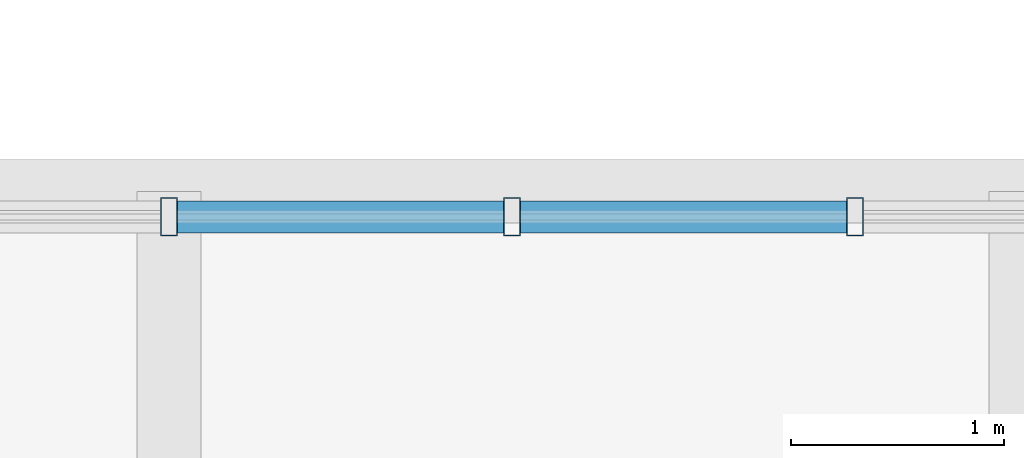
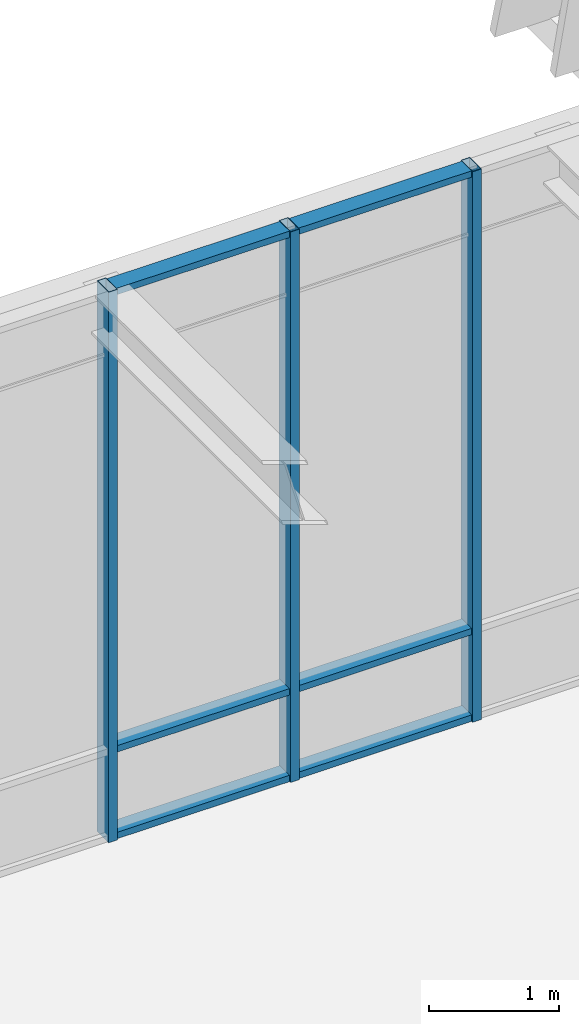
# One storey, part 60 of 139: 9 members, 1 element without a shape of its own.
"""IFC4 building model written with IfcOpenShell, lengths in metres."""

import ifcopenshell
import ifcopenshell.guid

model = None  # the IFC model being written
_history = None  # IfcOwnerHistory: only IFC2X3 demands one
_inside = {}  # id of a spatial element -> (the spatial element, [elements in it])
_under = {}  # id of a project, library or spatial element -> (it, [spatial elements below it])
_declared = {}  # id of a project -> (the project, [libraries it declares])
_typed = {}  # id of a type object -> (the type object, [elements of that type])
_made_of = {}  # id of a material, layer set ... -> (it, [elements and type objects made of it])


def new_model(schema):
    """Start an empty IFC model of exactly this schema.

    Asked for "IFC4X3", IfcOpenShell would pick the latest addendum, in which some entities
    have other attributes; the version numbers below select the first issue.
    IFC2X3 requires an IfcOwnerHistory on every rooted entity: one is made here for all.
    """
    global model, _history
    if schema == "IFC4X3":
        model = ifcopenshell.file(schema_version=(4, 3, 0, 0))
    else:
        model = ifcopenshell.file(schema=schema)
    _inside.clear()
    _under.clear()
    _declared.clear()
    _typed.clear()
    _made_of.clear()
    _history = None
    if model.schema == "IFC2X3":
        org = make("IfcOrganization", Name="unknown")
        user = make(
            "IfcPersonAndOrganization",
            ThePerson=make("IfcPerson", FamilyName="unknown"),
            TheOrganization=org,
        )
        app = make(
            "IfcApplication",
            ApplicationDeveloper=org,
            Version="unknown",
            ApplicationFullName="unknown",
            ApplicationIdentifier="unknown",
        )
        _history = make(
            "IfcOwnerHistory",
            OwningUser=user,
            OwningApplication=app,
            ChangeAction="ADDED",
            CreationDate=0,
        )
    return model


def make(cls, **values):
    """One entity of the class cls with the attributes given. An attribute that is None is left unset."""
    return model.create_entity(
        cls, **{name: value for name, value in values.items() if value is not None}
    )


def rooted(cls, **values):
    """An entity with a GlobalId (a new one), such as an element, a storey or a relation."""
    return make(cls, GlobalId=ifcopenshell.guid.new(), OwnerHistory=_history, **values)


def si_unit(unit_type, name, prefix=None):
    """IfcSIUnit, for example si_unit("LENGTHUNIT", "METRE", prefix="MILLI")."""
    return make("IfcSIUnit", UnitType=unit_type, Prefix=prefix, Name=name)


def assignment(units):
    """IfcUnitAssignment: the units of a project."""
    return None if units is None else make("IfcUnitAssignment", Units=units)


def point(xyz):
    """IfcCartesianPoint."""
    return None if xyz is None else make("IfcCartesianPoint", Coordinates=xyz)


def direction(xyz):
    """IfcDirection."""
    return None if xyz is None else make("IfcDirection", DirectionRatios=xyz)


def frame(location, z_axis=None, x_axis=None):
    """IfcAxis2Placement3D, a coordinate frame: its origin and axes. An axis left out is left unset."""
    return make(
        "IfcAxis2Placement3D",
        Location=point(location),
        Axis=direction(z_axis),
        RefDirection=direction(x_axis),
    )


def frame_2d(location, x_axis=None):
    """IfcAxis2Placement2D, a coordinate frame in the plane: its origin and x axis."""
    return make(
        "IfcAxis2Placement2D", Location=point(location), RefDirection=direction(x_axis)
    )


def origin():
    """The frame at (0, 0, 0) with its axes left unset."""
    return frame((0.0, 0.0, 0.0))


def origin_2d():
    """The frame at (0, 0) in the plane with its x axis left unset."""
    return frame_2d((0.0, 0.0))


def place(relative_to, where):
    """IfcLocalPlacement: puts the frame where relative to a parent placement (None: the world)."""
    return make(
        "IfcLocalPlacement", PlacementRelTo=relative_to, RelativePlacement=where
    )


def context(
    kind, dimensions, precision=None, world=None, true_north=None, identifier=None
):
    """IfcGeometricRepresentationContext, for example the 3D "Model" context."""
    return make(
        "IfcGeometricRepresentationContext",
        ContextIdentifier=identifier,
        ContextType=kind,
        CoordinateSpaceDimension=dimensions,
        Precision=precision,
        WorldCoordinateSystem=world,
        TrueNorth=true_north,
    )


def subcontext(parent, identifier, kind, view, scale=None):
    """IfcGeometricRepresentationSubContext, for example "Body" below "Model"."""
    return make(
        "IfcGeometricRepresentationSubContext",
        ContextIdentifier=identifier,
        ContextType=kind,
        ParentContext=parent,
        TargetScale=scale,
        TargetView=view,
    )


def project(units=None, contexts=None):
    """IfcProject with its units and contexts."""
    return rooted(
        "IfcProject",
        Name="project",
        RepresentationContexts=contexts,
        UnitsInContext=assignment(units),
    )


def spatial(cls, under=None, at=None, **own):
    """A site, building, storey or space (cls), placed at a placement, below another one or the project."""
    s = rooted(cls, ObjectPlacement=at, **own)
    if under is not None:
        _under.setdefault(under.id(), (under, []))[1].append(s)
    return s


def profile(cls, at=None, kind="AREA", **sizes):
    """A parametric profile (cls). Its sizes go by their IFC names, for example OverallWidth=200.0."""
    return make(cls, ProfileType=kind, Position=at, **sizes)


def hollow_rectangle(**sizes):
    """IfcRectangleHollowProfileDef."""
    return profile("IfcRectangleHollowProfileDef", **sizes)


def extrude(swept, where, along, depth):
    """IfcExtrudedAreaSolid: the profile swept, set in the frame where, extruded along a direction by depth."""
    return make(
        "IfcExtrudedAreaSolid",
        SweptArea=swept,
        Position=where,
        ExtrudedDirection=direction(along),
        Depth=depth,
    )


def shape(context_of_items, identifier, shape_type, items):
    """IfcShapeRepresentation: the items that make up one representation, for example the "Body"."""
    return make(
        "IfcShapeRepresentation",
        ContextOfItems=context_of_items,
        RepresentationIdentifier=identifier,
        RepresentationType=shape_type,
        Items=items,
    )


def material(Name=None, Category=None):
    """IfcMaterial."""
    return make("IfcMaterial", Name=Name, Category=Category)


def layer(
    of_material, thickness, ventilated=None, Name=None, Category=None, Priority=None
):
    """IfcMaterialLayer: one layer of a wall or slab, of a material (None: an air gap)."""
    return make(
        "IfcMaterialLayer",
        Material=of_material,
        LayerThickness=thickness,
        IsVentilated=ventilated,
        Name=Name,
        Category=Category,
        Priority=Priority,
    )


def layer_set(layers, Name=None):
    """IfcMaterialLayerSet."""
    return make("IfcMaterialLayerSet", MaterialLayers=layers, LayerSetName=Name)


def material_profile(
    of_material, cross_section, Name=None, Category=None, Priority=None
):
    """IfcMaterialProfile: a cross section and its material."""
    return make(
        "IfcMaterialProfile",
        Name=Name,
        Material=of_material,
        Profile=cross_section,
        Priority=Priority,
        Category=Category,
    )


def profile_set(profiles, Name=None, composite=None):
    """IfcMaterialProfileSet."""
    return make(
        "IfcMaterialProfileSet",
        Name=Name,
        MaterialProfiles=profiles,
        CompositeProfile=composite,
    )


def made_of(thing, what):
    """Note that an element or type object is made of a material, layer set ...; save() writes the relation."""
    if what is not None:
        _made_of.setdefault(what.id(), (what, []))[1].append(thing)
    return thing


def type_object(cls, material=None, **own):
    """A type object (cls), such as IfcWallType, which elements share."""
    return made_of(rooted(cls, **own), material)


def element(
    cls,
    number,
    at=None,
    inside=None,
    cuts=None,
    type_object=None,
    material=None,
    context=None,
    identifier="Body",
    shape_type=None,
    held_by="IfcProductDefinitionShape",
    body=None,
    shapes=None,
    **own,
):
    """One element of the class cls, such as IfcWall. Its Tag is "e" and its number.

    at: its placement. inside: the storey or other place that contains it. cuts: it is an
    opening in that element (IfcRelVoidsElement). A single representation is given by context,
    identifier, shape_type and body (its items); several are given by shapes. held_by: the class
    of the entity that holds the representations. save() writes the other relations.
    """
    e = rooted(cls, Tag="e%d" % number, ObjectPlacement=at, **own)
    if body is not None:
        shapes = [shape(context, identifier, shape_type, body)]
    if shapes is not None:
        e.Representation = make(held_by, Representations=shapes)
    if inside is not None:
        _inside.setdefault(inside.id(), (inside, []))[1].append(e)
    if cuts is not None:
        rooted(
            "IfcRelVoidsElement", RelatingBuildingElement=cuts, RelatedOpeningElement=e
        )
    if type_object is not None:
        _typed.setdefault(type_object.id(), (type_object, []))[1].append(e)
    return made_of(e, material)


def aggregate(whole, parts):
    """IfcRelAggregates: a whole, such as a stair, and the parts it consists of."""
    return rooted("IfcRelAggregates", RelatingObject=whole, RelatedObjects=parts)


def save(model, path):
    """Write the relations noted so far, then the file.

    IfcRelAggregates (storeys below a building ...), IfcRelContainedInSpatialStructure (elements
    in a storey), IfcRelDefinesByType, IfcRelAssociatesMaterial and IfcRelDeclares: one each for
    every whole, place, type object, material and project.
    """
    for whole, parts in _under.values():
        aggregate(whole, parts)
    for where, things in _inside.values():
        rooted(
            "IfcRelContainedInSpatialStructure",
            RelatedElements=things,
            RelatingStructure=where,
        )
    for kind, things in _typed.values():
        rooted("IfcRelDefinesByType", RelatedObjects=things, RelatingType=kind)
    for what, things in _made_of.values():
        rooted("IfcRelAssociatesMaterial", RelatedObjects=things, RelatingMaterial=what)
    for by, libraries in _declared.values():
        rooted("IfcRelDeclares", RelatingContext=by, RelatedDefinitions=libraries)
    model.write(path)


model = new_model("IFC4")

# Units and contexts
model_context = context("Model", 3, precision=1e-05, world=origin(), true_north=direction((0.0, 1.0)))
body_context = subcontext(model_context, "Body", "Model", "MODEL_VIEW")
ifc_project = project(units=[si_unit("LENGTHUNIT", "METRE"), si_unit("AREAUNIT", "SQUARE_METRE"), si_unit("VOLUMEUNIT", "CUBIC_METRE"), si_unit("PLANEANGLEUNIT", "RADIAN"), si_unit("MASSUNIT", "GRAM", prefix="KILO")], contexts=[model_context])

# Site, building, storey
site_placement = place(None, origin())
site = spatial("IfcSite", under=ifc_project, at=site_placement, CompositionType="ELEMENT")
building_placement = place(site_placement, origin())
building = spatial("IfcBuilding", under=site, at=building_placement, Name="Zayran Congress Hotel", CompositionType="ELEMENT")
storey_placement = place(building_placement, frame((0.0, 0.0, 5.39990234375)))
storey = spatial("IfcBuildingStorey", under=building, at=storey_placement, Name="L01", CompositionType="ELEMENT", Elevation=5.39990234375)

# Curtain wall, members
ifc_material_1 = material(Name="Anodised aluminium and low-E insulated glass", Category="aluminium")
ifc_layer = layer(ifc_material_1, 0.179931640625)
ifc_layer_set = layer_set([ifc_layer], Name="Anodised aluminium and low-E insulated glass")
curtain_wall_type = type_object("IfcCurtainWallType", Name="CW-BR1-L01-CW-BR1-16100-5150", PredefinedType="USERDEFINED", material=ifc_layer_set)
curtain_wall_placement = place(storey_placement, origin())
curtain_wall = element("IfcCurtainWall", 1, at=curtain_wall_placement, inside=storey, type_object=curtain_wall_type, Name="CW-BR1N-L01", ObjectType="CURTAIN WALL", PredefinedType="USERDEFINED")
ifc_material_2 = material(Name="Anodised aluminium framing", Category="aluminium")
ifc_material_profile_1 = material_profile(ifc_material_2, hollow_rectangle(XDim=0.080078125, YDim=0.179931640625, WallThickness=0.0048828125, at=origin_2d()), Name="RHS 180x80x5")
ifc_profile_set_1 = profile_set([ifc_material_profile_1], Name="Anodised aluminium framing")
member_type_1 = type_object("IfcMemberType", Name="TP-CWM-01", PredefinedType="MULLION", material=ifc_profile_set_1)
member_1_placement = place(storey_placement, frame((104.02001953125, 84.280029296875, 0.0), z_axis=(0.0, 0.0, 1.0), x_axis=(1.0, 0.0, 0.0)))
member_1 = element("IfcMember", 2, at=member_1_placement, type_object=member_type_1, Name="CW-BR1N-L01-M03", PredefinedType="MULLION", context=body_context, shape_type="SweptSolid", body=[
    extrude(hollow_rectangle(XDim=0.080078125, YDim=0.179931640625, WallThickness=0.0048828125, at=origin_2d()), origin(), (0.0, 0.0, 1.0), 5.150146484375),
])
member_2_placement = place(storey_placement, frame((102.409912109375, 84.280029296875, 0.0), z_axis=(0.0, 0.0, 1.0), x_axis=(1.0, 0.0, 0.0)))
member_2 = element("IfcMember", 3, at=member_2_placement, type_object=member_type_1, Name="CW-BR1N-L01-M04", PredefinedType="MULLION", context=body_context, shape_type="SweptSolid", body=[
    extrude(hollow_rectangle(XDim=0.080078125, YDim=0.179931640625, WallThickness=0.0048828125, at=origin_2d()), origin(), (0.0, 0.0, 1.0), 5.150146484375),
])
member_3_placement = place(storey_placement, frame((100.800048828125, 84.280029296875, 0.0), z_axis=(0.0, 0.0, 1.0), x_axis=(1.0, 0.0, 0.0)))
member_3 = element("IfcMember", 4, at=member_3_placement, type_object=member_type_1, Name="CW-BR1N-L01-M05", PredefinedType="MULLION", context=body_context, shape_type="SweptSolid", body=[
    extrude(hollow_rectangle(XDim=0.080078125, YDim=0.179931640625, WallThickness=0.0048828125, at=origin_2d()), origin(), (0.0, 0.0, 1.0), 5.150146484375),
])
ifc_material_profile_2 = material_profile(ifc_material_2, hollow_rectangle(XDim=0.06005859375, YDim=0.14990234375, WallThickness=0.00390625, at=origin_2d()), Name="RHS 150x60x4")
ifc_profile_set_2 = profile_set([ifc_material_profile_2], Name="Anodised aluminium framing")
member_type_2 = type_object("IfcMemberType", Name="TP-CWT-01", PredefinedType="USERDEFINED", material=ifc_profile_set_2)
member_4_placement = place(storey_placement, frame((103.97998046875, 84.280029296875, 0.030029296875), z_axis=(-1.0, 0.0, 0.0), x_axis=(0.0, 0.0, 1.0)))
member_4 = element("IfcMember", 5, at=member_4_placement, type_object=member_type_2, Name="CW-BR1N-L01-T03-0", ObjectType="TRANSOM", PredefinedType="USERDEFINED", context=body_context, shape_type="SweptSolid", body=[
    extrude(hollow_rectangle(XDim=0.06005859375, YDim=0.14990234375, WallThickness=0.00390625, at=origin_2d()), origin(), (0.0, 0.0, 1.0), 1.530029296875),
])
member_5_placement = place(storey_placement, frame((103.97998046875, 84.280029296875, 0.840087890625), z_axis=(-1.0, 0.0, 0.0), x_axis=(0.0, 0.0, 1.0)))
member_5 = element("IfcMember", 6, at=member_5_placement, type_object=member_type_2, Name="CW-BR1N-L01-T03-1", ObjectType="TRANSOM", PredefinedType="USERDEFINED", context=body_context, shape_type="SweptSolid", body=[
    extrude(hollow_rectangle(XDim=0.06005859375, YDim=0.14990234375, WallThickness=0.00390625, at=origin_2d()), origin(), (0.0, 0.0, 1.0), 1.530029296875),
])
member_6_placement = place(storey_placement, frame((103.97998046875, 84.280029296875, 5.1201171875), z_axis=(-1.0, 0.0, 0.0), x_axis=(0.0, 0.0, 1.0)))
member_6 = element("IfcMember", 7, at=member_6_placement, type_object=member_type_2, Name="CW-BR1N-L01-T03-2", ObjectType="TRANSOM", PredefinedType="USERDEFINED", context=body_context, shape_type="SweptSolid", body=[
    extrude(hollow_rectangle(XDim=0.06005859375, YDim=0.14990234375, WallThickness=0.00390625, at=origin_2d()), origin(), (0.0, 0.0, 1.0), 1.530029296875),
])
member_7_placement = place(storey_placement, frame((102.3701171875, 84.280029296875, 0.030029296875), z_axis=(-1.0, 0.0, 0.0), x_axis=(0.0, 0.0, 1.0)))
member_7 = element("IfcMember", 8, at=member_7_placement, type_object=member_type_2, Name="CW-BR1N-L01-T04-0", ObjectType="TRANSOM", PredefinedType="USERDEFINED", context=body_context, shape_type="SweptSolid", body=[
    extrude(hollow_rectangle(XDim=0.06005859375, YDim=0.14990234375, WallThickness=0.00390625, at=origin_2d()), origin(), (0.0, 0.0, 1.0), 1.530029296875),
])
member_8_placement = place(storey_placement, frame((102.3701171875, 84.280029296875, 0.840087890625), z_axis=(-1.0, 0.0, 0.0), x_axis=(0.0, 0.0, 1.0)))
member_8 = element("IfcMember", 9, at=member_8_placement, type_object=member_type_2, Name="CW-BR1N-L01-T04-1", ObjectType="TRANSOM", PredefinedType="USERDEFINED", context=body_context, shape_type="SweptSolid", body=[
    extrude(hollow_rectangle(XDim=0.06005859375, YDim=0.14990234375, WallThickness=0.00390625, at=origin_2d()), origin(), (0.0, 0.0, 1.0), 1.530029296875),
])
member_9_placement = place(storey_placement, frame((102.3701171875, 84.280029296875, 5.1201171875), z_axis=(-1.0, 0.0, 0.0), x_axis=(0.0, 0.0, 1.0)))
member_9 = element("IfcMember", 10, at=member_9_placement, type_object=member_type_2, Name="CW-BR1N-L01-T04-2", ObjectType="TRANSOM", PredefinedType="USERDEFINED", context=body_context, shape_type="SweptSolid", body=[
    extrude(hollow_rectangle(XDim=0.06005859375, YDim=0.14990234375, WallThickness=0.00390625, at=origin_2d()), origin(), (0.0, 0.0, 1.0), 1.530029296875),
])
aggregate(curtain_wall, [member_1, member_2, member_3, member_4, member_5, member_6, member_7, member_8, member_9])

save(model, "model.ifc")
